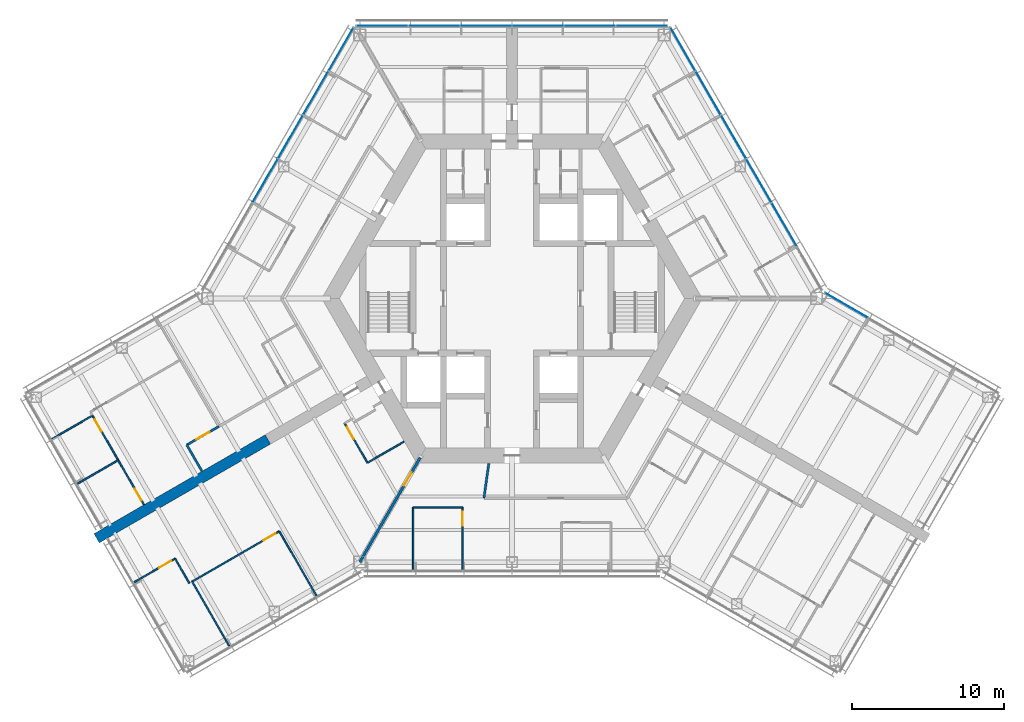
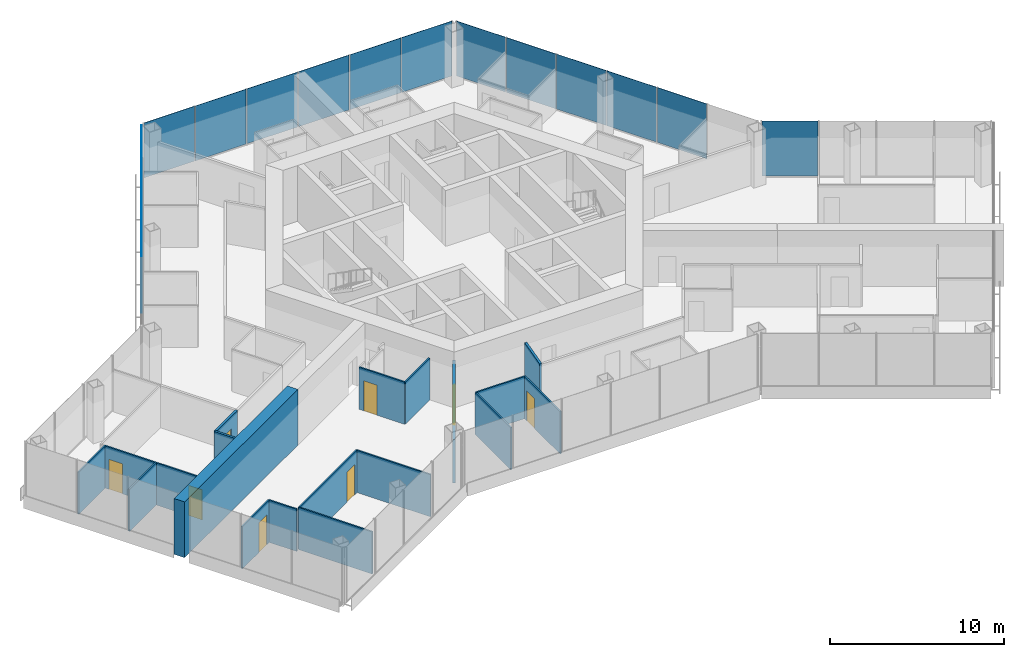
# One storey, part 11 of 19: 19 walls, 16 plates, 8 doors, 8 openings, 4 elements without a shape of their own.
"""IFC4 building model written with IfcOpenShell, lengths in metres."""

from ifc_helpers import new_model, si_unit, direction, frame, frame_2d, origin, origin_2d, place, context, subcontext, project, spatial, rectangle, extrude, material, layer, layer_set, type_object, element, fill, aggregate, save


model = new_model("IFC4")

# Units and contexts
model_context = context("Model", 3, precision=1e-05, world=origin(), true_north=direction((0.0, 1.0)))
body_context = subcontext(model_context, "Body", "Model", "MODEL_VIEW")
ifc_project = project(units=[si_unit("LENGTHUNIT", "METRE"), si_unit("AREAUNIT", "SQUARE_METRE"), si_unit("VOLUMEUNIT", "CUBIC_METRE"), si_unit("PLANEANGLEUNIT", "RADIAN"), si_unit("MASSUNIT", "GRAM", prefix="KILO")], contexts=[model_context])

# Site, building, storey
site_placement = place(None, origin())
site = spatial("IfcSite", under=ifc_project, at=site_placement, CompositionType="ELEMENT")
building_placement = place(site_placement, origin())
building = spatial("IfcBuilding", under=site, at=building_placement, Name="Kasaneha Research Tower", CompositionType="ELEMENT")
storey_placement = place(building_placement, frame((0.0, 0.0, 156.5)))
storey = spatial("IfcBuildingStorey", under=building, at=storey_placement, Name="L39", CompositionType="ELEMENT", Elevation=156.5)

# Curtain wall, plate
ifc_material_1 = material(Name="Glass and aluminium", Category="aluminium")
curtain_wall_type = type_object("IfcCurtainWallType", Name="Mid-rise office curtain wall", PredefinedType="USERDEFINED", material=ifc_material_1)
curtain_wall_1_placement = place(storey_placement, origin())
curtain_wall_1 = element("IfcCurtainWall", 1, at=curtain_wall_1_placement, inside=storey, type_object=curtain_wall_type, Name="CW-O2 L39 run 05a", ObjectType="UNITISED CURTAIN WALL", PredefinedType="USERDEFINED")
ifc_material_2 = material(Name="Laminated double glazing", Category="glass")
ifc_layer_1 = layer(ifc_material_2, 0.02587890625)
ifc_layer_set_1 = layer_set([ifc_layer_1], Name="CW-O2 glazed panel")
plate_type = type_object("IfcPlateType", Name="CW-O2 glazed panel", PredefinedType="CURTAIN_PANEL", material=ifc_layer_set_1)
plate_1_placement = place(storey_placement, frame((21.971923828125, -0.44580078125, 0.06005859375), z_axis=(0.0, 0.0, 1.0), x_axis=(-0.866025411464, 0.499999986699, 0.0)))
plate_1 = element("IfcPlate", 2, at=plate_1_placement, type_object=plate_type, Name="CW-O2 panel 4", PredefinedType="CURTAIN_PANEL", context=body_context, shape_type="SweptSolid", body=[
    extrude(rectangle(XDim=3.2197265625, YDim=0.02587890625, at=origin_2d()), origin(), (0.0, 0.0, 1.0), 3.840087890625),
])
aggregate(curtain_wall_1, [plate_1])

# Curtain wall, plates
curtain_wall_2_placement = place(storey_placement, origin())
curtain_wall_2 = element("IfcCurtainWall", 3, at=curtain_wall_2_placement, inside=storey, type_object=curtain_wall_type, Name="CW-O2 L39 run 06a", ObjectType="UNITISED CURTAIN WALL", PredefinedType="USERDEFINED")
plate_2_placement = place(storey_placement, frame((17.89111328125, 4.852783203125, 0.06005859375), z_axis=(0.0, 0.0, 1.0), x_axis=(-0.499999979232, 0.866025415775, 0.0)))
plate_2 = element("IfcPlate", 4, at=plate_2_placement, type_object=plate_type, Name="CW-O2 panel 2", PredefinedType="CURTAIN_PANEL", context=body_context, shape_type="SweptSolid", body=[
    extrude(rectangle(XDim=3.27099609375, YDim=0.02587890625, at=origin_2d()), origin(), (0.0, 0.0, 1.0), 3.840087890625),
])
plate_3_placement = place(storey_placement, frame((16.2255859375, 7.737548828125, 0.06005859375), z_axis=(0.0, 0.0, 1.0), x_axis=(-0.499999979232, 0.866025415775, 0.0)))
plate_3 = element("IfcPlate", 5, at=plate_3_placement, type_object=plate_type, Name="CW-O2 panel 3", PredefinedType="CURTAIN_PANEL", context=body_context, shape_type="SweptSolid", body=[
    extrude(rectangle(XDim=3.27099609375, YDim=0.02587890625, at=origin_2d()), origin(), (0.0, 0.0, 1.0), 3.840087890625),
])
plate_4_placement = place(storey_placement, frame((14.56005859375, 10.622314453125, 0.06005859375), z_axis=(0.0, 0.0, 1.0), x_axis=(-0.499999979232, 0.866025415775, 0.0)))
plate_4 = element("IfcPlate", 6, at=plate_4_placement, type_object=plate_type, Name="CW-O2 panel 4", PredefinedType="CURTAIN_PANEL", context=body_context, shape_type="SweptSolid", body=[
    extrude(rectangle(XDim=3.27099609375, YDim=0.02587890625, at=origin_2d()), origin(), (0.0, 0.0, 1.0), 3.840087890625),
])
plate_5_placement = place(storey_placement, frame((12.89453125, 13.5068359375, 0.06005859375), z_axis=(0.0, 0.0, 1.0), x_axis=(-0.499999979232, 0.866025415775, 0.0)))
plate_5 = element("IfcPlate", 7, at=plate_5_placement, type_object=plate_type, Name="CW-O2 panel 5", PredefinedType="CURTAIN_PANEL", context=body_context, shape_type="SweptSolid", body=[
    extrude(rectangle(XDim=3.27099609375, YDim=0.02587890625, at=origin_2d()), origin(), (0.0, 0.0, 1.0), 3.840087890625),
])
plate_6_placement = place(storey_placement, frame((11.236572265625, 16.378662109375, 0.06005859375), z_axis=(0.0, 0.0, 1.0), x_axis=(-0.499999979232, 0.866025415775, 0.0)))
plate_6 = element("IfcPlate", 8, at=plate_6_placement, type_object=plate_type, Name="CW-O2 panel 6", PredefinedType="CURTAIN_PANEL", context=body_context, shape_type="SweptSolid", body=[
    extrude(rectangle(XDim=3.240966796875, YDim=0.02587890625, at=origin_2d()), origin(), (0.0, 0.0, 1.0), 3.840087890625),
])
aggregate(curtain_wall_2, [plate_2, plate_3, plate_4, plate_5, plate_6])

curtain_wall_3_placement = place(storey_placement, origin())
curtain_wall_3 = element("IfcCurtainWall", 9, at=curtain_wall_3_placement, inside=storey, type_object=curtain_wall_type, Name="CW-O2 L39 run 07a", ObjectType="UNITISED CURTAIN WALL", PredefinedType="USERDEFINED")
plate_7_placement = place(storey_placement, frame((8.523681640625, 17.92041015625, 0.06005859375), z_axis=(0.0, 0.0, 1.0), x_axis=(-1.0, 0.0, 0.0)))
plate_7 = element("IfcPlate", 10, at=plate_7_placement, type_object=plate_type, Name="CW-O2 panel 1", PredefinedType="CURTAIN_PANEL", context=body_context, shape_type="SweptSolid", body=[
    extrude(rectangle(XDim=3.325439453125, YDim=0.02587890625, at=origin_2d()), origin(), (0.0, 0.0, 1.0), 3.840087890625),
])
plate_8_placement = place(storey_placement, frame((5.123291015625, 17.92041015625, 0.06005859375), z_axis=(0.0, 0.0, 1.0), x_axis=(-1.0, 0.0, 0.0)))
plate_8 = element("IfcPlate", 11, at=plate_8_placement, type_object=plate_type, Name="CW-O2 panel 2", PredefinedType="CURTAIN_PANEL", context=body_context, shape_type="SweptSolid", body=[
    extrude(rectangle(XDim=3.35546875, YDim=0.02587890625, at=origin_2d()), origin(), (0.0, 0.0, 1.0), 3.840087890625),
])
plate_9_placement = place(storey_placement, frame((1.707763671875, 17.92041015625, 0.06005859375), z_axis=(0.0, 0.0, 1.0), x_axis=(-1.0, 0.0, 0.0)))
plate_9 = element("IfcPlate", 12, at=plate_9_placement, type_object=plate_type, Name="CW-O2 panel 3", PredefinedType="CURTAIN_PANEL", context=body_context, shape_type="SweptSolid", body=[
    extrude(rectangle(XDim=3.35546875, YDim=0.02587890625, at=origin_2d()), origin(), (0.0, 0.0, 1.0), 3.840087890625),
])
plate_10_placement = place(storey_placement, frame((-1.707763671875, 17.92041015625, 0.06005859375), z_axis=(0.0, 0.0, 1.0), x_axis=(-1.0, 0.0, 0.0)))
plate_10 = element("IfcPlate", 13, at=plate_10_placement, type_object=plate_type, Name="CW-O2 panel 4", PredefinedType="CURTAIN_PANEL", context=body_context, shape_type="SweptSolid", body=[
    extrude(rectangle(XDim=3.35546875, YDim=0.02587890625, at=origin_2d()), origin(), (0.0, 0.0, 1.0), 3.840087890625),
])
plate_11_placement = place(storey_placement, frame((-5.123291015625, 17.92041015625, 0.06005859375), z_axis=(0.0, 0.0, 1.0), x_axis=(-1.0, 0.0, 0.0)))
plate_11 = element("IfcPlate", 14, at=plate_11_placement, type_object=plate_type, Name="CW-O2 panel 5", PredefinedType="CURTAIN_PANEL", context=body_context, shape_type="SweptSolid", body=[
    extrude(rectangle(XDim=3.35546875, YDim=0.02587890625, at=origin_2d()), origin(), (0.0, 0.0, 1.0), 3.840087890625),
])
plate_12_placement = place(storey_placement, frame((-8.523681640625, 17.92041015625, 0.06005859375), z_axis=(0.0, 0.0, 1.0), x_axis=(-1.0, 0.0, 0.0)))
plate_12 = element("IfcPlate", 15, at=plate_12_placement, type_object=plate_type, Name="CW-O2 panel 6", PredefinedType="CURTAIN_PANEL", context=body_context, shape_type="SweptSolid", body=[
    extrude(rectangle(XDim=3.325439453125, YDim=0.02587890625, at=origin_2d()), origin(), (0.0, 0.0, 1.0), 3.840087890625),
])
aggregate(curtain_wall_3, [plate_7, plate_8, plate_9, plate_10, plate_11, plate_12])

curtain_wall_4_placement = place(storey_placement, origin())
curtain_wall_4 = element("IfcCurtainWall", 16, at=curtain_wall_4_placement, inside=storey, type_object=curtain_wall_type, Name="CW-O2 L39 run 08a", ObjectType="UNITISED CURTAIN WALL", PredefinedType="USERDEFINED")
plate_13_placement = place(storey_placement, frame((-11.236572265625, 16.378662109375, 0.06005859375), z_axis=(0.0, 0.0, 1.0), x_axis=(-0.499999979232, -0.866025415775, 0.0)))
plate_13 = element("IfcPlate", 17, at=plate_13_placement, type_object=plate_type, Name="CW-O2 panel 1", PredefinedType="CURTAIN_PANEL", context=body_context, shape_type="SweptSolid", body=[
    extrude(rectangle(XDim=3.240966796875, YDim=0.02587890625, at=origin_2d()), origin(), (0.0, 0.0, 1.0), 3.840087890625),
])
plate_14_placement = place(storey_placement, frame((-12.89453125, 13.5068359375, 0.06005859375), z_axis=(0.0, 0.0, 1.0), x_axis=(-0.499999979232, -0.866025415775, 0.0)))
plate_14 = element("IfcPlate", 18, at=plate_14_placement, type_object=plate_type, Name="CW-O2 panel 2", PredefinedType="CURTAIN_PANEL", context=body_context, shape_type="SweptSolid", body=[
    extrude(rectangle(XDim=3.27099609375, YDim=0.02587890625, at=origin_2d()), origin(), (0.0, 0.0, 1.0), 3.840087890625),
])
plate_15_placement = place(storey_placement, frame((-14.56005859375, 10.622314453125, 0.06005859375), z_axis=(0.0, 0.0, 1.0), x_axis=(-0.499999979232, -0.866025415775, 0.0)))
plate_15 = element("IfcPlate", 19, at=plate_15_placement, type_object=plate_type, Name="CW-O2 panel 3", PredefinedType="CURTAIN_PANEL", context=body_context, shape_type="SweptSolid", body=[
    extrude(rectangle(XDim=3.27099609375, YDim=0.02587890625, at=origin_2d()), origin(), (0.0, 0.0, 1.0), 3.840087890625),
])
plate_16_placement = place(storey_placement, frame((-16.2255859375, 7.737548828125, 0.06005859375), z_axis=(0.0, 0.0, 1.0), x_axis=(-0.499999979232, -0.866025415775, 0.0)))
plate_16 = element("IfcPlate", 20, at=plate_16_placement, type_object=plate_type, Name="CW-O2 panel 4", PredefinedType="CURTAIN_PANEL", context=body_context, shape_type="SweptSolid", body=[
    extrude(rectangle(XDim=3.27099609375, YDim=0.02587890625, at=origin_2d()), origin(), (0.0, 0.0, 1.0), 3.840087890625),
])
aggregate(curtain_wall_4, [plate_13, plate_14, plate_15, plate_16])

# Walls
ifc_material_3 = material(Name="Gypsum board on steel studs, one layer each side", Category="steel")
ifc_layer_2 = layer(ifc_material_3, 0.10009765625)
ifc_layer_set_2 = layer_set([ifc_layer_2], Name="Office partition 100")
wall_type_1 = type_object("IfcWallType", Name="Office partition 100", PredefinedType="PARTITIONING", material=ifc_layer_set_2)
wall_1_placement = place(storey_placement, frame((-27.56689453125, -7.6923828125, 0.0), z_axis=(0.0, 0.0, 1.0), x_axis=(-0.86525260674, -0.501336141256, 0.0)))
element("IfcWall", 21, at=wall_1_placement, inside=storey, type_object=wall_type_1, Name="Office partition FBN09 L39", PredefinedType="PARTITIONING", context=body_context, shape_type="SweptSolid", body=[
    extrude(rectangle(XDim=3.08056640625, YDim=0.10009765625, at=frame_2d((1.540283203125, 0.0))), origin(), (0.0, 0.0, 1.0), 2.949951171875),
])
wall_2_placement = place(storey_placement, frame((-25.875732421875, -10.622802734375, 0.0), z_axis=(0.0, 0.0, 1.0), x_axis=(-0.865212673937, -0.50140505468, 0.0)))
element("IfcWall", 22, at=wall_2_placement, inside=storey, type_object=wall_type_1, Name="Office partition FBN12 L39", PredefinedType="PARTITIONING", context=body_context, shape_type="SweptSolid", body=[
    extrude(rectangle(XDim=3.10498046875, YDim=0.10009765625, at=frame_2d((1.552490234375, 0.0))), origin(), (0.0, 0.0, 1.0), 2.949951171875),
])

# Wall, opening, door
wall_3_placement = place(storey_placement, frame((-27.568603515625, -7.698974609375, 0.0), z_axis=(0.0, 0.0, 1.0), x_axis=(0.49998062928, -0.866036587186, 0.0)))
wall_3 = element("IfcWall", 23, at=wall_3_placement, inside=storey, type_object=wall_type_1, Name="Office partition FBN13 L39", PredefinedType="PARTITIONING", context=body_context, shape_type="SweptSolid", body=[
    extrude(rectangle(XDim=3.383544921875, YDim=0.10009765625, at=frame_2d((1.69189453125, 0.0))), origin(), (0.0, 0.0, 1.0), 2.949951171875),
])
opening_1_placement = place(wall_3_placement, frame((0.300048828125, 0.0, 0.0)))
opening_1 = element("IfcOpeningElement", 24, at=opening_1_placement, cuts=wall_3, Name="Opening L39-D38", PredefinedType="OPENING", context=body_context, shape_type="SweptSolid", body=[
    extrude(rectangle(XDim=0.89990234375, YDim=2.10009765625, at=frame_2d((0.449951171875, 1.050048828125))), frame((0.0, 0.06005859375, 0.0), z_axis=(0.0, -1.0, 0.0), x_axis=(1.0, 0.0, 0.0)), (0.0, 0.0, 1.0), 0.1201171875),
])
ifc_material_4 = material(Name="Timber veneer", Category="wood")
door_type_1 = type_object("IfcDoorType", Name="Office door 900x2100", OperationType="SINGLE_SWING_LEFT", PredefinedType="DOOR", material=ifc_material_4)
door_1_placement = place(opening_1_placement, origin())
door_1 = element("IfcDoor", 25, at=door_1_placement, inside=storey, type_object=door_type_1, Name="Manager's office door L39-D38", OperationType="SINGLE_SWING_LEFT", OverallHeight=2.10009765625, OverallWidth=0.89990234375, PredefinedType="DOOR", context=body_context, shape_type="SweptSolid", body=[
    extrude(rectangle(XDim=0.89990234375, YDim=2.10009765625, at=frame_2d((0.449951171875, 1.050048828125))), frame((0.0, 0.02490234375, 0.0), z_axis=(0.0, -1.0, 0.0), x_axis=(1.0, 0.0, 0.0)), (0.0, 0.0, 1.0), 0.050048828125),
])
fill(opening_1, door_1)

wall_4_placement = place(storey_placement, frame((-25.876953125, -10.629150390625, 0.0), z_axis=(0.0, 0.0, 1.0), x_axis=(0.501079190578, -0.865401435618, 0.0)))
wall_4 = element("IfcWall", 26, at=wall_4_placement, inside=storey, type_object=wall_type_1, Name="Office partition FBN14 L39", PredefinedType="PARTITIONING", context=body_context, shape_type="SweptSolid", body=[
    extrude(rectangle(XDim=3.36328125, YDim=0.10009765625, at=frame_2d((1.681640625, 0.0))), origin(), (0.0, 0.0, 1.0), 2.949951171875),
])
opening_2_placement = place(wall_4_placement, frame((2.163330078125, 0.0, 0.0)))
opening_2 = element("IfcOpeningElement", 27, at=opening_2_placement, cuts=wall_4, Name="Opening L39-D39", PredefinedType="OPENING", context=body_context, shape_type="SweptSolid", body=[
    extrude(rectangle(XDim=0.89990234375, YDim=2.10009765625, at=frame_2d((0.449951171875, 1.050048828125))), frame((0.0, 0.06005859375, 0.0), z_axis=(0.0, -1.0, 0.0), x_axis=(1.0, 0.0, 0.0)), (0.0, 0.0, 1.0), 0.1201171875),
])
door_2_placement = place(opening_2_placement, origin())
door_2 = element("IfcDoor", 28, at=door_2_placement, inside=storey, type_object=door_type_1, Name="Manager's office door L39-D39", OperationType="SINGLE_SWING_RIGHT", OverallHeight=2.10009765625, OverallWidth=0.89990234375, PredefinedType="DOOR", context=body_context, shape_type="SweptSolid", body=[
    extrude(rectangle(XDim=0.89990234375, YDim=2.10009765625, at=frame_2d((0.449951171875, 1.050048828125))), frame((0.0, 0.02490234375, 0.0), z_axis=(0.0, -1.0, 0.0), x_axis=(1.0, 0.0, 0.0)), (0.0, 0.0, 1.0), 0.050048828125),
])
fill(opening_2, door_2)

wall_5_placement = place(storey_placement, frame((-9.49951171875, -10.796142578125, 0.0), z_axis=(0.0, 0.0, 1.0), x_axis=(-0.499990139034, 0.866031096941, 0.0)))
wall_5 = element("IfcWall", 29, at=wall_5_placement, inside=storey, type_object=wall_type_1, Name="Office partition FBS03 L39", PredefinedType="PARTITIONING", context=body_context, shape_type="SweptSolid", body=[
    extrude(rectangle(XDim=3.0, YDim=0.10009765625, at=frame_2d((1.5, 0.0))), origin(), (0.0, 0.0, 1.0), 2.949951171875),
])
opening_3_placement = place(wall_5_placement, frame((1.800048828125, 0.0, 0.0)))
opening_3 = element("IfcOpeningElement", 30, at=opening_3_placement, cuts=wall_5, Name="Opening L39-D43", PredefinedType="OPENING", context=body_context, shape_type="SweptSolid", body=[
    extrude(rectangle(XDim=0.89990234375, YDim=2.10009765625, at=frame_2d((0.449951171875, 1.050048828125))), frame((0.0, 0.06005859375, 0.0), z_axis=(0.0, -1.0, 0.0), x_axis=(1.0, 0.0, 0.0)), (0.0, 0.0, 1.0), 0.1201171875),
])
door_3_placement = place(opening_3_placement, origin())
door_3 = element("IfcDoor", 31, at=door_3_placement, inside=storey, type_object=door_type_1, Name="Pantry door L39-D43", OperationType="SINGLE_SWING_RIGHT", OverallHeight=2.10009765625, OverallWidth=0.89990234375, PredefinedType="DOOR", context=body_context, shape_type="SweptSolid", body=[
    extrude(rectangle(XDim=0.89990234375, YDim=2.10009765625, at=frame_2d((0.449951171875, 1.050048828125))), frame((0.0, 0.02490234375, 0.0), z_axis=(0.0, -1.0, 0.0), x_axis=(1.0, 0.0, 0.0)), (0.0, 0.0, 1.0), 0.050048828125),
])
fill(opening_3, door_3)

# Walls
wall_6_placement = place(storey_placement, frame((-7.092041015625, -9.40625, 0.0), z_axis=(0.0, 0.0, 1.0), x_axis=(-0.86603494908, -0.499983466698, 0.0)))
element("IfcWall", 32, at=wall_6_placement, inside=storey, type_object=wall_type_1, Name="Office partition FBS05 L39", PredefinedType="PARTITIONING", context=body_context, shape_type="SweptSolid", body=[
    extrude(rectangle(XDim=2.77978515625, YDim=0.10009765625, at=frame_2d((1.389892578125, 0.0))), origin(), (0.0, 0.0, 1.0), 2.949951171875),
])
wall_7_placement = place(storey_placement, frame((-18.5849609375, -22.831298828125, 0.0), z_axis=(0.0, 0.0, 1.0), x_axis=(-0.499029341865, 0.8665850887, 0.0)))
element("IfcWall", 33, at=wall_7_placement, inside=storey, type_object=wall_type_1, Name="Office partition FBS06 L39", PredefinedType="PARTITIONING", context=body_context, shape_type="SweptSolid", body=[
    extrude(rectangle(XDim=4.880126953125, YDim=0.10009765625, at=frame_2d((2.43994140625, 0.0))), origin(), (0.0, 0.0, 1.0), 2.949951171875),
])

# Wall, opening, door
wall_8_placement = place(storey_placement, frame((-21.02294921875, -18.608642578125, 0.0), z_axis=(0.0, 0.0, 1.0), x_axis=(0.865724093718, 0.500521521571, 0.0)))
wall_8 = element("IfcWall", 34, at=wall_8_placement, inside=storey, type_object=wall_type_1, Name="Office partition FBS07 L39", PredefinedType="PARTITIONING", context=body_context, shape_type="SweptSolid", body=[
    extrude(rectangle(XDim=6.61962890625, YDim=0.10009765625, at=frame_2d((3.309814453125, 0.0))), origin(), (0.0, 0.0, 1.0), 2.949951171875),
])
opening_4_placement = place(wall_8_placement, frame((5.419677734375, 0.0, 0.0)))
opening_4 = element("IfcOpeningElement", 35, at=opening_4_placement, cuts=wall_8, Name="Opening L39-D44", PredefinedType="OPENING", context=body_context, shape_type="SweptSolid", body=[
    extrude(rectangle(XDim=0.89990234375, YDim=2.10009765625, at=frame_2d((0.449951171875, 1.050048828125))), frame((0.0, 0.06005859375, 0.0), z_axis=(0.0, -1.0, 0.0), x_axis=(1.0, 0.0, 0.0)), (0.0, 0.0, 1.0), 0.1201171875),
])
door_4_placement = place(opening_4_placement, origin())
door_4 = element("IfcDoor", 36, at=door_4_placement, inside=storey, type_object=door_type_1, Name="Meeting room door L39-D44", OperationType="SINGLE_SWING_RIGHT", OverallHeight=2.10009765625, OverallWidth=0.89990234375, PredefinedType="DOOR", context=body_context, shape_type="SweptSolid", body=[
    extrude(rectangle(XDim=0.89990234375, YDim=2.10009765625, at=frame_2d((0.449951171875, 1.050048828125))), frame((0.0, 0.02490234375, 0.0), z_axis=(0.0, -1.0, 0.0), x_axis=(1.0, 0.0, 0.0)), (0.0, 0.0, 1.0), 0.050048828125),
])
fill(opening_4, door_4)

# Wall
wall_9_placement = place(storey_placement, frame((-15.292236328125, -15.29541015625, 0.0), z_axis=(0.0, 0.0, 1.0), x_axis=(0.50002548385, -0.866010690177, 0.0)))
element("IfcWall", 37, at=wall_9_placement, inside=storey, type_object=wall_type_1, Name="Office partition FBS08 L39", PredefinedType="PARTITIONING", context=body_context, shape_type="SweptSolid", body=[
    extrude(rectangle(XDim=4.905029296875, YDim=0.10009765625, at=frame_2d((2.45263671875, 0.0))), origin(), (0.0, 0.0, 1.0), 2.949951171875),
])

# Wall, opening, door
wall_10_placement = place(storey_placement, frame((-24.8291015625, -18.64599609375, 0.0), z_axis=(0.0, 0.0, 1.0), x_axis=(0.866042875753, 0.499969736442, 0.0)))
wall_10 = element("IfcWall", 38, at=wall_10_placement, inside=storey, type_object=wall_type_1, Name="Office partition FBS09 L39", PredefinedType="PARTITIONING", context=body_context, shape_type="SweptSolid", body=[
    extrude(rectangle(XDim=3.105224609375, YDim=0.10009765625, at=frame_2d((1.552734375, 0.0))), origin(), (0.0, 0.0, 1.0), 2.949951171875),
])
opening_5_placement = place(wall_10_placement, frame((1.905029296875, 0.0, 0.0)))
opening_5 = element("IfcOpeningElement", 39, at=opening_5_placement, cuts=wall_10, Name="Opening L39-D45", PredefinedType="OPENING", context=body_context, shape_type="SweptSolid", body=[
    extrude(rectangle(XDim=0.89990234375, YDim=2.10009765625, at=frame_2d((0.449951171875, 1.050048828125))), frame((0.0, 0.06005859375, 0.0), z_axis=(0.0, -1.0, 0.0), x_axis=(1.0, 0.0, 0.0)), (0.0, 0.0, 1.0), 0.1201171875),
])
door_5_placement = place(opening_5_placement, origin())
door_5 = element("IfcDoor", 40, at=door_5_placement, inside=storey, type_object=door_type_1, Name="Project room door L39-D45", OperationType="SINGLE_SWING_RIGHT", OverallHeight=2.10009765625, OverallWidth=0.89990234375, PredefinedType="DOOR", context=body_context, shape_type="SweptSolid", body=[
    extrude(rectangle(XDim=0.89990234375, YDim=2.10009765625, at=frame_2d((0.449951171875, 1.050048828125))), frame((0.0, 0.02490234375, 0.0), z_axis=(0.0, -1.0, 0.0), x_axis=(1.0, 0.0, 0.0)), (0.0, 0.0, 1.0), 0.050048828125),
])
fill(opening_5, door_5)

# Walls
wall_11_placement = place(storey_placement, frame((-22.139892578125, -17.093505859375, 0.0), z_axis=(0.0, 0.0, 1.0), x_axis=(0.500473827914, -0.865751666226, 0.0)))
element("IfcWall", 41, at=wall_11_placement, inside=storey, type_object=wall_type_1, Name="Office partition FBS10 L39", PredefinedType="PARTITIONING", context=body_context, shape_type="SweptSolid", body=[
    extrude(rectangle(XDim=1.865478515625, YDim=0.10009765625, at=frame_2d((0.9326171875, 0.0))), origin(), (0.0, 0.0, 1.0), 2.949951171875),
])
wall_12_placement = place(storey_placement, frame((-6.492919921875, -17.800537109375, 0.0), z_axis=(0.0, 0.0, 1.0), x_axis=(0.0, 1.0, 0.0)))
element("IfcWall", 42, at=wall_12_placement, inside=storey, type_object=wall_type_1, Name="Office partition FCS17 L39", PredefinedType="PARTITIONING", context=body_context, shape_type="SweptSolid", body=[
    extrude(rectangle(XDim=4.080078125, YDim=0.10009765625, at=frame_2d((2.0400390625, 0.0))), origin(), (0.0, 0.0, 1.0), 2.949951171875),
])
wall_13_placement = place(storey_placement, frame((-6.492919921875, -13.720458984375, 0.0), z_axis=(0.0, 0.0, 1.0), x_axis=(1.0, 0.0, 0.0)))
element("IfcWall", 43, at=wall_13_placement, inside=storey, type_object=wall_type_1, Name="Office partition FCS18 L39", PredefinedType="PARTITIONING", context=body_context, shape_type="SweptSolid", body=[
    extrude(rectangle(XDim=3.24658203125, YDim=0.10009765625, at=frame_2d((1.623291015625, 0.0))), origin(), (0.0, 0.0, 1.0), 2.949951171875),
])

# Wall, opening, door
wall_14_placement = place(storey_placement, frame((-3.246337890625, -13.720458984375, 0.0), z_axis=(0.0, 0.0, 1.0), x_axis=(0.0, -1.0, 0.0)))
wall_14 = element("IfcWall", 44, at=wall_14_placement, inside=storey, type_object=wall_type_1, Name="Office partition FCS19 L39", PredefinedType="PARTITIONING", context=body_context, shape_type="SweptSolid", body=[
    extrude(rectangle(XDim=4.130126953125, YDim=0.10009765625, at=frame_2d((2.06494140625, 0.0))), origin(), (0.0, 0.0, 1.0), 2.949951171875),
])
opening_6_placement = place(wall_14_placement, frame((0.300048828125, 0.0, 0.0)))
opening_6 = element("IfcOpeningElement", 45, at=opening_6_placement, cuts=wall_14, Name="Opening L39-D53", PredefinedType="OPENING", context=body_context, shape_type="SweptSolid", body=[
    extrude(rectangle(XDim=0.89990234375, YDim=2.10009765625, at=frame_2d((0.449951171875, 1.050048828125))), frame((0.0, 0.06005859375, 0.0), z_axis=(0.0, -1.0, 0.0), x_axis=(1.0, 0.0, 0.0)), (0.0, 0.0, 1.0), 0.1201171875),
])
door_6_placement = place(opening_6_placement, origin())
door_6 = element("IfcDoor", 46, at=door_6_placement, inside=storey, type_object=door_type_1, Name="Manager's office door L39-D53", OperationType="SINGLE_SWING_LEFT", OverallHeight=2.10009765625, OverallWidth=0.89990234375, PredefinedType="DOOR", context=body_context, shape_type="SweptSolid", body=[
    extrude(rectangle(XDim=0.89990234375, YDim=2.10009765625, at=frame_2d((0.449951171875, 1.050048828125))), frame((0.0, 0.02490234375, 0.0), z_axis=(0.0, -1.0, 0.0), x_axis=(1.0, 0.0, 0.0)), (0.0, 0.0, 1.0), 0.050048828125),
])
fill(opening_6, door_6)

# Wall
ifc_material_5 = material(Name="Concrete Fc70", Category="concrete")
ifc_layer_3 = layer(ifc_material_5, 0.699951171875)
ifc_layer_set_3 = layer_set([ifc_layer_3], Name="Spine wall 700 Fc70")
wall_type_2 = type_object("IfcWallType", Name="Spine wall 700 Fc70", PredefinedType="SHEAR", material=ifc_layer_set_3)
wall_15_placement = place(storey_placement, frame((-16.039306640625, -9.26025390625, 0.0), z_axis=(0.0, 0.0, 1.0), x_axis=(-0.866024837091, -0.50000098154, 0.0)))
element("IfcWall", 47, at=wall_15_placement, inside=storey, type_object=wall_type_2, Name="Spine wall B wing L39", PredefinedType="SHEAR", context=body_context, shape_type="SweptSolid", body=[
    extrude(rectangle(XDim=13.0, YDim=0.699951171875, at=frame_2d((6.5, 0.0))), origin(), (0.0, 0.0, 1.0), 3.89990234375),
])

# Wall, opening, door
ifc_material_6 = material(Name="Gypsum board on steel studs, two layers each side", Category="steel")
ifc_layer_4 = layer(ifc_material_6, 0.14990234375)
ifc_layer_set_4 = layer_set([ifc_layer_4], Name="Suite partition 150")
wall_type_3 = type_object("IfcWallType", Name="Suite partition 150", PredefinedType="PARTITIONING", material=ifc_layer_set_4)
wall_16_placement = place(storey_placement, frame((-21.37109375, -9.625, 0.0), z_axis=(0.0, 0.0, 1.0), x_axis=(0.866043624834, 0.499968438888, 0.0)))
wall_16 = element("IfcWall", 48, at=wall_16_placement, inside=storey, type_object=wall_type_3, Name="Suite partition FBN07 L39", PredefinedType="PARTITIONING", context=body_context, shape_type="SweptSolid", body=[
    extrude(rectangle(XDim=2.434326171875, YDim=0.14990234375, at=frame_2d((1.21728515625, 0.0))), origin(), (0.0, 0.0, 1.0), 2.949951171875),
])
opening_7_placement = place(wall_16_placement, frame((0.71728515625, 0.0, 0.0)))
opening_7 = element("IfcOpeningElement", 49, at=opening_7_placement, cuts=wall_16, Name="Opening L39-D36", PredefinedType="OPENING", context=body_context, shape_type="SweptSolid", body=[
    extrude(rectangle(XDim=1.0, YDim=2.10009765625, at=frame_2d((0.5, 1.050048828125))), frame((0.0, 0.0849609375, 0.0), z_axis=(0.0, -1.0, 0.0), x_axis=(1.0, 0.0, 0.0)), (0.0, 0.0, 1.0), 0.169921875),
])
ifc_material_7 = material(Name="Steel", Category="steel")
door_type_2 = type_object("IfcDoorType", Name="Suite entrance door FD60 1000x2100", OperationType="NOTDEFINED", PredefinedType="DOOR", material=ifc_material_7)
door_7_placement = place(opening_7_placement, origin())
door_7 = element("IfcDoor", 50, at=door_7_placement, inside=storey, type_object=door_type_2, Name="Suite entrance door L39-D36", OperationType="SINGLE_SWING_LEFT", OverallHeight=2.10009765625, OverallWidth=1.0, PredefinedType="DOOR", context=body_context, shape_type="SweptSolid", body=[
    extrude(rectangle(XDim=1.0, YDim=2.10009765625, at=frame_2d((0.5, 1.050048828125))), frame((0.0, 0.02490234375, 0.0), z_axis=(0.0, -1.0, 0.0), x_axis=(1.0, 0.0, 0.0)), (0.0, 0.0, 1.0), 0.050048828125),
])
fill(opening_7, door_7)

# Walls
wall_17_placement = place(storey_placement, frame((-20.381103515625, -11.33984375, 0.0), z_axis=(0.0, 0.0, 1.0), x_axis=(-0.499971491109, 0.866041862775, 0.0)))
element("IfcWall", 51, at=wall_17_placement, inside=storey, type_object=wall_type_3, Name="Suite partition FBN08 L39", PredefinedType="PARTITIONING", context=body_context, shape_type="SweptSolid", body=[
    extrude(rectangle(XDim=1.97998046875, YDim=0.14990234375, at=frame_2d((0.989990234375, 0.0))), origin(), (0.0, 0.0, 1.0), 2.949951171875),
])
wall_18_placement = place(storey_placement, frame((-1.844482421875, -13.125, 0.0), z_axis=(0.0, 0.0, 1.0), x_axis=(0.139119980631, 0.990275532864, 0.0)))
element("IfcWall", 52, at=wall_18_placement, inside=storey, type_object=wall_type_3, Name="Suite partition FCS03 L39", PredefinedType="PARTITIONING", context=body_context, shape_type="SweptSolid", body=[
    extrude(rectangle(XDim=2.302490234375, YDim=0.14990234375, at=frame_2d((1.1513671875, 0.0))), origin(), (0.0, 0.0, 1.0), 2.949951171875),
])

# Wall, opening, door
ifc_material_8 = material(Name="Gypsum board on steel studs, two layers each side", Category="steel")
ifc_layer_5 = layer(ifc_material_8, 0.175048828125)
ifc_layer_set_5 = layer_set([ifc_layer_5], Name="Tenancy fire partition 175")
wall_type_4 = type_object("IfcWallType", Name="Tenancy fire partition 175", PredefinedType="PARTITIONING", material=ifc_layer_set_5)
wall_19_placement = place(storey_placement, frame((-6.034912109375, -10.45263671875, 0.0), z_axis=(0.0, 0.0, 1.0), x_axis=(-0.499989830942, -0.866031274813, 0.0)))
wall_19 = element("IfcWall", 53, at=wall_19_placement, inside=storey, type_object=wall_type_4, Name="Tenancy fire partition T240 L39", PredefinedType="PARTITIONING", context=body_context, shape_type="SweptSolid", body=[
    extrude(rectangle(XDim=7.930419921875, YDim=0.175048828125, at=frame_2d((3.96533203125, 0.0))), origin(), (0.0, 0.0, 1.0), 3.050048828125),
])
opening_8_placement = place(wall_19_placement, frame((1.1298828125, 0.0, 0.0)))
opening_8 = element("IfcOpeningElement", 54, at=opening_8_placement, cuts=wall_19, Name="Opening L39-D26", PredefinedType="OPENING", context=body_context, shape_type="SweptSolid", body=[
    extrude(rectangle(XDim=1.0, YDim=2.10009765625, at=frame_2d((0.5, 1.050048828125))), frame((0.0, 0.09765625, 0.0), z_axis=(0.0, -1.0, 0.0), x_axis=(1.0, 0.0, 0.0)), (0.0, 0.0, 1.0), 0.195068359375),
])
door_8_placement = place(opening_8_placement, origin())
door_8 = element("IfcDoor", 55, at=door_8_placement, inside=storey, type_object=door_type_2, Name="Connecting door L39-D26", OperationType="SINGLE_SWING_LEFT", OverallHeight=2.10009765625, OverallWidth=1.0, PredefinedType="DOOR", context=body_context, shape_type="SweptSolid", body=[
    extrude(rectangle(XDim=1.0, YDim=2.10009765625, at=frame_2d((0.5, 1.050048828125))), frame((0.0, 0.02490234375, 0.0), z_axis=(0.0, -1.0, 0.0), x_axis=(1.0, 0.0, 0.0)), (0.0, 0.0, 1.0), 0.050048828125),
])
fill(opening_8, door_8)

save(model, "model.ifc")
